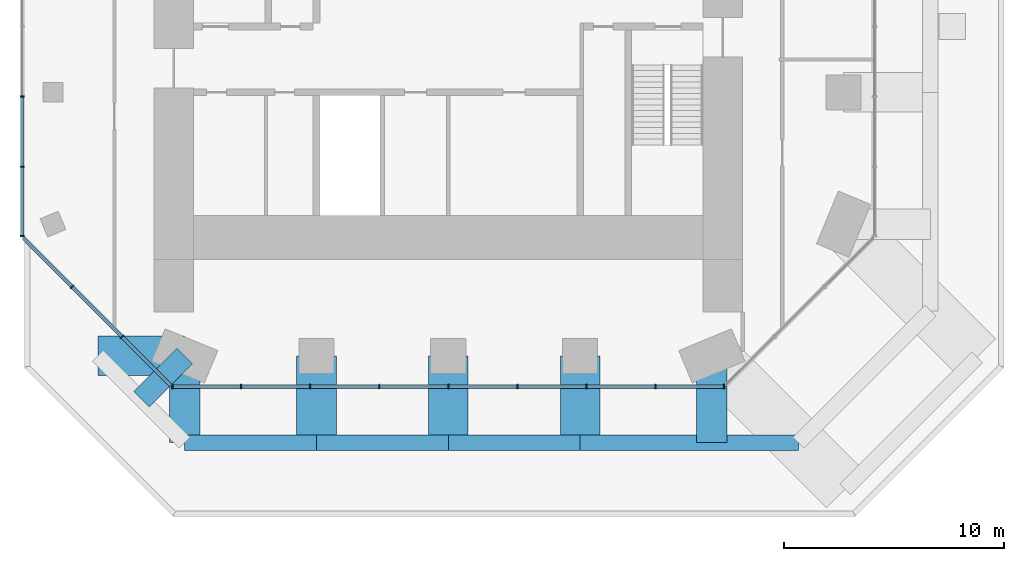
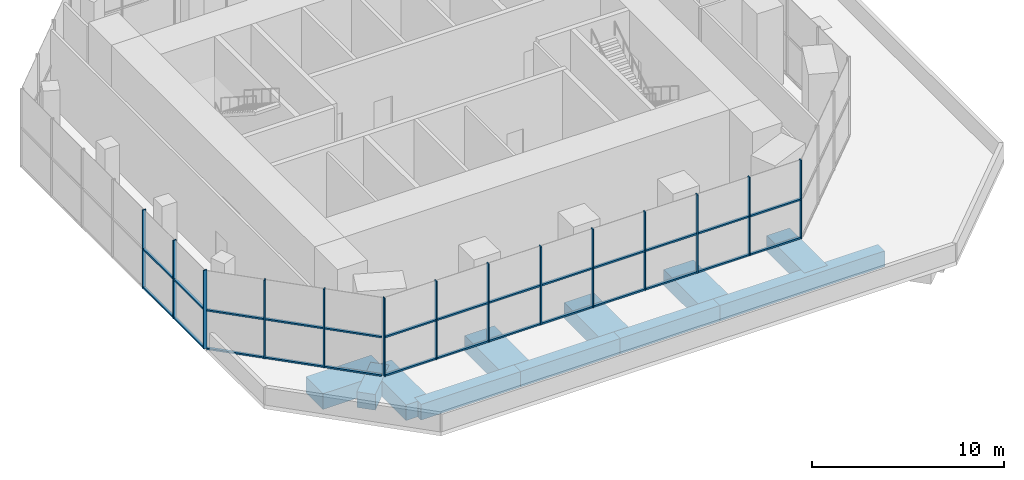
# One storey, part 2 of 9: 40 members, 11 beams, 3 elements without a shape of their own.
"""IFC4 building model written with IfcOpenShell, lengths in metres."""

from ifc_helpers import new_model, si_unit, direction, frame, origin, origin_2d, place, context, subcontext, project, spatial, rectangle, extrude, material, layer, layer_set, material_profile, profile_set, type_object, element, aggregate, save


model = new_model("IFC4")

# Units and contexts
model_context = context("Model", 3, precision=1e-05, world=origin(), true_north=direction((0.0, 1.0)))
body_context = subcontext(model_context, "Body", "Model", "MODEL_VIEW")
ifc_project = project(units=[si_unit("LENGTHUNIT", "METRE"), si_unit("AREAUNIT", "SQUARE_METRE"), si_unit("VOLUMEUNIT", "CUBIC_METRE"), si_unit("PLANEANGLEUNIT", "RADIAN"), si_unit("MASSUNIT", "GRAM", prefix="KILO")], contexts=[model_context])

# Site, building, storey
site_placement = place(None, origin())
site = spatial("IfcSite", under=ifc_project, at=site_placement, CompositionType="ELEMENT")
building_placement = place(site_placement, origin())
building = spatial("IfcBuilding", under=site, at=building_placement, Name="Highveld Stack Headquarters", CompositionType="ELEMENT")
storey_placement = place(building_placement, frame((0.0, 0.0, 295.699951171875)))
storey = spatial("IfcBuildingStorey", under=building, at=storey_placement, Name="L73", CompositionType="ELEMENT", Elevation=295.699951171875)

# Beams
ifc_material_1 = material(Name="Concrete C60/75", Category="concrete")
ifc_material_profile_1 = material_profile(ifc_material_1, rectangle(XDim=1.0, YDim=1.0, at=origin_2d()), Name="RC 1000x1000")
ifc_profile_set_1 = profile_set([ifc_material_profile_1], Name="Concrete C60/75")
beam_type_1 = type_object("IfcBeamType", Name="CANTILEVER RIB RC 1000x1000", PredefinedType="USERDEFINED", material=ifc_profile_set_1)
beam_1_placement = place(storey_placement, frame((-6.0, -12.0, -0.75), z_axis=(-0.707106781187, -0.707106781187, 0.0), x_axis=(0.707106781187, -0.707106781187, 0.0)))
element("IfcBeam", 1, at=beam_1_placement, inside=storey, type_object=beam_type_1, Name="Cantilever rib 5/C L73", ObjectType="CANTILEVER RIB", PredefinedType="USERDEFINED", context=body_context, shape_type="SweptSolid", body=[
    extrude(rectangle(XDim=1.0, YDim=1.0, at=origin_2d()), origin(), (0.0, 0.0, 1.0), 2.793212890625),
])
ifc_material_2 = material(Name="Concrete C60/75", Category="concrete")
ifc_material_profile_2 = material_profile(ifc_material_2, rectangle(XDim=1.39990234375, YDim=1.0, at=origin_2d()), Name="RC 1400x1000")
ifc_profile_set_2 = profile_set([ifc_material_profile_2], Name="Concrete C60/75")
beam_type_2 = type_object("IfcBeamType", Name="CANTILEVER RIB RC 1400x1000", PredefinedType="USERDEFINED", material=ifc_profile_set_2)
for number, where, z_axis, x_axis, name in (
    (2, (-6.0, -12.0, -0.75), (0.0, -1.0, 0.0), (1.0, 0.0, 0.0), "Cantilever rib 5/C L73"),
    (3, (18.0, -12.0, -0.75), (0.0, -1.0, 0.0), (1.0, 0.0, 0.0), "Cantilever rib 9/C L73"),
):
    element("IfcBeam", number, at=place(storey_placement, frame(where, z_axis=z_axis, x_axis=x_axis)), inside=storey, type_object=beam_type_2, Name=name, ObjectType="CANTILEVER RIB", PredefinedType="USERDEFINED", context=body_context, shape_type="SweptSolid", body=[
        extrude(rectangle(XDim=1.39990234375, YDim=1.0, at=origin_2d()), origin(), (0.0, 0.0, 1.0), 3.949951171875),
    ])
ifc_material_3 = material(Name="Concrete C60/75", Category="concrete")
ifc_material_profile_3 = material_profile(ifc_material_3, rectangle(XDim=1.800048828125, YDim=1.0, at=origin_2d()), Name="RC 1800x1000")
ifc_profile_set_3 = profile_set([ifc_material_profile_3], Name="Concrete C60/75")
beam_type_3 = type_object("IfcBeamType", Name="CANTILEVER RIB RC 1800x1000", PredefinedType="USERDEFINED", material=ifc_profile_set_3)
for number, where, z_axis, x_axis, name in (
    (4, (-6.0, -12.0, -0.75), (-1.0, 0.0, 0.0), (0.0, -1.0, 0.0), "Cantilever rib 5/C L73"),
    (5, (0.0, -12.0, -0.75), (0.0, -1.0, 0.0), (1.0, 0.0, 0.0), "Cantilever rib 6/C L73"),
    (6, (6.0, -12.0, -0.75), (0.0, -1.0, 0.0), (1.0, 0.0, 0.0), "Cantilever rib 7/C L73"),
    (7, (12.0, -12.0, -0.75), (0.0, -1.0, 0.0), (1.0, 0.0, 0.0), "Cantilever rib 8/C L73"),
):
    element("IfcBeam", number, at=place(storey_placement, frame(where, z_axis=z_axis, x_axis=x_axis)), inside=storey, type_object=beam_type_3, Name=name, ObjectType="CANTILEVER RIB", PredefinedType="USERDEFINED", context=body_context, shape_type="SweptSolid", body=[
        extrude(rectangle(XDim=1.800048828125, YDim=1.0, at=origin_2d()), origin(), (0.0, 0.0, 1.0), 3.949951171875),
    ])

# Curtain wall, members
ifc_material_4 = material(Name="Aluminium bronze anodised", Category="aluminium")
ifc_layer = layer(ifc_material_4, 0.199951171875)
ifc_layer_set = layer_set([ifc_layer], Name="Aluminium bronze anodised")
curtain_wall_type = type_object("IfcCurtainWallType", Name="CW4 LANTERN CURTAIN WALL", PredefinedType="NOTDEFINED", material=ifc_layer_set)
curtain_wall_1_placement = place(storey_placement, origin())
curtain_wall_1 = element("IfcCurtainWall", 8, at=curtain_wall_1_placement, inside=storey, type_object=curtain_wall_type, Name="Curtain wall CW4 L73 S", PredefinedType="NOTDEFINED")
ifc_material_5 = material(Name="Aluminium bronze anodised", Category="aluminium")
ifc_material_profile_4 = material_profile(ifc_material_5, rectangle(XDim=0.199951171875, YDim=0.06494140625, at=origin_2d()), Name="CW4 MULLION 65x200")
ifc_profile_set_4 = profile_set([ifc_material_profile_4], Name="Aluminium bronze anodised")
member_type_1 = type_object("IfcMemberType", Name="CW4 MULLION 65x200", PredefinedType="MULLION", material=ifc_profile_set_4)
member_1_placement = place(storey_placement, frame((-6.54736328125, -13.39990234375, 0.0), z_axis=(0.0, 0.0, 1.0), x_axis=(0.0, 1.0, 0.0)))
member_1 = element("IfcMember", 9, at=member_1_placement, type_object=member_type_1, Name="CW4 mullion L73 1", PredefinedType="MULLION", context=body_context, shape_type="SweptSolid", body=[
    extrude(rectangle(XDim=0.199951171875, YDim=0.06494140625, at=origin_2d()), origin(), (0.0, 0.0, 1.0), 5.0),
])
member_2_placement = place(storey_placement, frame((-3.434814453125, -13.39990234375, 0.0), z_axis=(0.0, 0.0, 1.0), x_axis=(0.0, 1.0, 0.0)))
member_2 = element("IfcMember", 10, at=member_2_placement, type_object=member_type_1, Name="CW4 mullion L73 2", PredefinedType="MULLION", context=body_context, shape_type="SweptSolid", body=[
    extrude(rectangle(XDim=0.199951171875, YDim=0.06494140625, at=origin_2d()), origin(), (0.0, 0.0, 1.0), 5.0),
])
member_3_placement = place(storey_placement, frame((-0.2900390625, -13.39990234375, 0.0), z_axis=(0.0, 0.0, 1.0), x_axis=(0.0, 1.0, 0.0)))
member_3 = element("IfcMember", 11, at=member_3_placement, type_object=member_type_1, Name="CW4 mullion L73 3", PredefinedType="MULLION", context=body_context, shape_type="SweptSolid", body=[
    extrude(rectangle(XDim=0.199951171875, YDim=0.06494140625, at=origin_2d()), origin(), (0.0, 0.0, 1.0), 5.0),
])
member_4_placement = place(storey_placement, frame((2.85498046875, -13.39990234375, 0.0), z_axis=(0.0, 0.0, 1.0), x_axis=(0.0, 1.0, 0.0)))
member_4 = element("IfcMember", 12, at=member_4_placement, type_object=member_type_1, Name="CW4 mullion L73 4", PredefinedType="MULLION", context=body_context, shape_type="SweptSolid", body=[
    extrude(rectangle(XDim=0.199951171875, YDim=0.06494140625, at=origin_2d()), origin(), (0.0, 0.0, 1.0), 5.0),
])
member_5_placement = place(storey_placement, frame((6.0, -13.39990234375, 0.0), z_axis=(0.0, 0.0, 1.0), x_axis=(0.0, 1.0, 0.0)))
member_5 = element("IfcMember", 13, at=member_5_placement, type_object=member_type_1, Name="CW4 mullion L73 5", PredefinedType="MULLION", context=body_context, shape_type="SweptSolid", body=[
    extrude(rectangle(XDim=0.199951171875, YDim=0.06494140625, at=origin_2d()), origin(), (0.0, 0.0, 1.0), 5.0),
])
member_6_placement = place(storey_placement, frame((9.14501953125, -13.39990234375, 0.0), z_axis=(0.0, 0.0, 1.0), x_axis=(0.0, 1.0, 0.0)))
member_6 = element("IfcMember", 14, at=member_6_placement, type_object=member_type_1, Name="CW4 mullion L73 6", PredefinedType="MULLION", context=body_context, shape_type="SweptSolid", body=[
    extrude(rectangle(XDim=0.199951171875, YDim=0.06494140625, at=origin_2d()), origin(), (0.0, 0.0, 1.0), 5.0),
])
member_7_placement = place(storey_placement, frame((12.289794921875, -13.39990234375, 0.0), z_axis=(0.0, 0.0, 1.0), x_axis=(0.0, 1.0, 0.0)))
member_7 = element("IfcMember", 15, at=member_7_placement, type_object=member_type_1, Name="CW4 mullion L73 7", PredefinedType="MULLION", context=body_context, shape_type="SweptSolid", body=[
    extrude(rectangle(XDim=0.199951171875, YDim=0.06494140625, at=origin_2d()), origin(), (0.0, 0.0, 1.0), 5.0),
])
member_8_placement = place(storey_placement, frame((15.434814453125, -13.39990234375, 0.0), z_axis=(0.0, 0.0, 1.0), x_axis=(0.0, 1.0, 0.0)))
member_8 = element("IfcMember", 16, at=member_8_placement, type_object=member_type_1, Name="CW4 mullion L73 8", PredefinedType="MULLION", context=body_context, shape_type="SweptSolid", body=[
    extrude(rectangle(XDim=0.199951171875, YDim=0.06494140625, at=origin_2d()), origin(), (0.0, 0.0, 1.0), 5.0),
])
member_9_placement = place(storey_placement, frame((18.54736328125, -13.39990234375, 0.0), z_axis=(0.0, 0.0, 1.0), x_axis=(0.0, 1.0, 0.0)))
member_9 = element("IfcMember", 17, at=member_9_placement, type_object=member_type_1, Name="CW4 mullion L73 9", PredefinedType="MULLION", context=body_context, shape_type="SweptSolid", body=[
    extrude(rectangle(XDim=0.199951171875, YDim=0.06494140625, at=origin_2d()), origin(), (0.0, 0.0, 1.0), 5.0),
])

curtain_wall_2_placement = place(storey_placement, origin())
curtain_wall_2 = element("IfcCurtainWall", 18, at=curtain_wall_2_placement, inside=storey, type_object=curtain_wall_type, Name="Curtain wall CW4 L73 W", PredefinedType="NOTDEFINED")
member_10_placement = place(storey_placement, frame((-13.39990234375, -0.193359375, 0.0), z_axis=(0.0, 0.0, 1.0), x_axis=(1.0, 0.0, 0.0)))
member_10 = element("IfcMember", 19, at=member_10_placement, type_object=member_type_1, Name="CW4 mullion L73 5", PredefinedType="MULLION", context=body_context, shape_type="SweptSolid", body=[
    extrude(rectangle(XDim=0.199951171875, YDim=0.06494140625, at=origin_2d()), origin(), (0.0, 0.0, 1.0), 5.0),
])
member_11_placement = place(storey_placement, frame((-13.39990234375, -3.38671875, 0.0), z_axis=(0.0, 0.0, 1.0), x_axis=(1.0, 0.0, 0.0)))
member_11 = element("IfcMember", 20, at=member_11_placement, type_object=member_type_1, Name="CW4 mullion L73 6", PredefinedType="MULLION", context=body_context, shape_type="SweptSolid", body=[
    extrude(rectangle(XDim=0.199951171875, YDim=0.06494140625, at=origin_2d()), origin(), (0.0, 0.0, 1.0), 5.0),
])
member_12_placement = place(storey_placement, frame((-13.39990234375, -6.54736328125, 0.0), z_axis=(0.0, 0.0, 1.0), x_axis=(1.0, 0.0, 0.0)))
member_12 = element("IfcMember", 21, at=member_12_placement, type_object=member_type_1, Name="CW4 mullion L73 7", PredefinedType="MULLION", context=body_context, shape_type="SweptSolid", body=[
    extrude(rectangle(XDim=0.199951171875, YDim=0.06494140625, at=origin_2d()), origin(), (0.0, 0.0, 1.0), 5.0),
])

curtain_wall_3_placement = place(storey_placement, origin())
curtain_wall_3 = element("IfcCurtainWall", 22, at=curtain_wall_3_placement, inside=storey, type_object=curtain_wall_type, Name="Curtain wall CW4 L73 SW", PredefinedType="NOTDEFINED")
member_13_placement = place(storey_placement, frame((-11.126708984375, -8.853271484375, 0.0), z_axis=(0.0, 0.0, 1.0), x_axis=(0.707106781187, 0.707106781187, 0.0)))
member_13 = element("IfcMember", 23, at=member_13_placement, type_object=member_type_1, Name="CW4 mullion L73 1", PredefinedType="MULLION", context=body_context, shape_type="SweptSolid", body=[
    extrude(rectangle(XDim=0.199951171875, YDim=0.06494140625, at=origin_2d()), origin(), (0.0, 0.0, 1.0), 5.0),
])
member_14_placement = place(storey_placement, frame((-8.853271484375, -11.126708984375, 0.0), z_axis=(0.0, 0.0, 1.0), x_axis=(0.707106781187, 0.707106781187, 0.0)))
member_14 = element("IfcMember", 24, at=member_14_placement, type_object=member_type_1, Name="CW4 mullion L73 2", PredefinedType="MULLION", context=body_context, shape_type="SweptSolid", body=[
    extrude(rectangle(XDim=0.199951171875, YDim=0.06494140625, at=origin_2d()), origin(), (0.0, 0.0, 1.0), 5.0),
])

# Member
ifc_material_6 = material(Name="Aluminium bronze anodised", Category="aluminium")
ifc_material_profile_5 = material_profile(ifc_material_6, rectangle(XDim=0.14990234375, YDim=0.10009765625, at=origin_2d()), Name="CW4 TRANSOM 150x100")
ifc_profile_set_5 = profile_set([ifc_material_profile_5], Name="Aluminium bronze anodised")
member_type_2 = type_object("IfcMemberType", Name="CW4 STACK TRANSOM 150x100", PredefinedType="USERDEFINED", material=ifc_profile_set_5)
member_15_placement = place(storey_placement, frame((-6.514892578125, -13.39990234375, 0.050048828125), z_axis=(1.0, 0.0, 0.0), x_axis=(0.0, 1.0, 0.0)))
member_15 = element("IfcMember", 25, at=member_15_placement, type_object=member_type_2, Name="CW4 transom L73 1.1", ObjectType="TRANSOM", PredefinedType="USERDEFINED", context=body_context, shape_type="SweptSolid", body=[
    extrude(rectangle(XDim=0.14990234375, YDim=0.10009765625, at=origin_2d()), origin(), (0.0, 0.0, 1.0), 3.047607421875),
])

member_16_placement = place(storey_placement, frame((-6.514892578125, -13.39990234375, 2.5), z_axis=(1.0, 0.0, 0.0), x_axis=(0.0, 1.0, 0.0)))
member_16 = element("IfcMember", 26, at=member_16_placement, type_object=member_type_2, Name="CW4 transom L73 1.2", ObjectType="TRANSOM", PredefinedType="USERDEFINED", context=body_context, shape_type="SweptSolid", body=[
    extrude(rectangle(XDim=0.14990234375, YDim=0.10009765625, at=origin_2d()), origin(), (0.0, 0.0, 1.0), 3.047607421875),
])

member_17_placement = place(storey_placement, frame((-3.40234375, -13.39990234375, 0.050048828125), z_axis=(1.0, 0.0, 0.0), x_axis=(0.0, 1.0, 0.0)))
member_17 = element("IfcMember", 27, at=member_17_placement, type_object=member_type_2, Name="CW4 transom L73 2.1", ObjectType="TRANSOM", PredefinedType="USERDEFINED", context=body_context, shape_type="SweptSolid", body=[
    extrude(rectangle(XDim=0.14990234375, YDim=0.10009765625, at=origin_2d()), origin(), (0.0, 0.0, 1.0), 3.079833984375),
])

member_18_placement = place(storey_placement, frame((-3.40234375, -13.39990234375, 2.5), z_axis=(1.0, 0.0, 0.0), x_axis=(0.0, 1.0, 0.0)))
member_18 = element("IfcMember", 28, at=member_18_placement, type_object=member_type_2, Name="CW4 transom L73 2.2", ObjectType="TRANSOM", PredefinedType="USERDEFINED", context=body_context, shape_type="SweptSolid", body=[
    extrude(rectangle(XDim=0.14990234375, YDim=0.10009765625, at=origin_2d()), origin(), (0.0, 0.0, 1.0), 3.079833984375),
])

member_19_placement = place(storey_placement, frame((-0.257568359375, -13.39990234375, 0.050048828125), z_axis=(1.0, 0.0, 0.0), x_axis=(0.0, 1.0, 0.0)))
member_19 = element("IfcMember", 29, at=member_19_placement, type_object=member_type_2, Name="CW4 transom L73 3.1", ObjectType="TRANSOM", PredefinedType="USERDEFINED", context=body_context, shape_type="SweptSolid", body=[
    extrude(rectangle(XDim=0.14990234375, YDim=0.10009765625, at=origin_2d()), origin(), (0.0, 0.0, 1.0), 3.080078125),
])

member_20_placement = place(storey_placement, frame((-0.257568359375, -13.39990234375, 2.5), z_axis=(1.0, 0.0, 0.0), x_axis=(0.0, 1.0, 0.0)))
member_20 = element("IfcMember", 30, at=member_20_placement, type_object=member_type_2, Name="CW4 transom L73 3.2", ObjectType="TRANSOM", PredefinedType="USERDEFINED", context=body_context, shape_type="SweptSolid", body=[
    extrude(rectangle(XDim=0.14990234375, YDim=0.10009765625, at=origin_2d()), origin(), (0.0, 0.0, 1.0), 3.080078125),
])

member_21_placement = place(storey_placement, frame((2.887451171875, -13.39990234375, 0.050048828125), z_axis=(1.0, 0.0, 0.0), x_axis=(0.0, 1.0, 0.0)))
member_21 = element("IfcMember", 31, at=member_21_placement, type_object=member_type_2, Name="CW4 transom L73 4.1", ObjectType="TRANSOM", PredefinedType="USERDEFINED", context=body_context, shape_type="SweptSolid", body=[
    extrude(rectangle(XDim=0.14990234375, YDim=0.10009765625, at=origin_2d()), origin(), (0.0, 0.0, 1.0), 3.080078125),
])

member_22_placement = place(storey_placement, frame((2.887451171875, -13.39990234375, 2.5), z_axis=(1.0, 0.0, 0.0), x_axis=(0.0, 1.0, 0.0)))
member_22 = element("IfcMember", 32, at=member_22_placement, type_object=member_type_2, Name="CW4 transom L73 4.2", ObjectType="TRANSOM", PredefinedType="USERDEFINED", context=body_context, shape_type="SweptSolid", body=[
    extrude(rectangle(XDim=0.14990234375, YDim=0.10009765625, at=origin_2d()), origin(), (0.0, 0.0, 1.0), 3.080078125),
])

member_23_placement = place(storey_placement, frame((6.032470703125, -13.39990234375, 0.050048828125), z_axis=(1.0, 0.0, 0.0), x_axis=(0.0, 1.0, 0.0)))
member_23 = element("IfcMember", 33, at=member_23_placement, type_object=member_type_2, Name="CW4 transom L73 5.1", ObjectType="TRANSOM", PredefinedType="USERDEFINED", context=body_context, shape_type="SweptSolid", body=[
    extrude(rectangle(XDim=0.14990234375, YDim=0.10009765625, at=origin_2d()), origin(), (0.0, 0.0, 1.0), 3.080078125),
])

member_24_placement = place(storey_placement, frame((6.032470703125, -13.39990234375, 2.5), z_axis=(1.0, 0.0, 0.0), x_axis=(0.0, 1.0, 0.0)))
member_24 = element("IfcMember", 34, at=member_24_placement, type_object=member_type_2, Name="CW4 transom L73 5.2", ObjectType="TRANSOM", PredefinedType="USERDEFINED", context=body_context, shape_type="SweptSolid", body=[
    extrude(rectangle(XDim=0.14990234375, YDim=0.10009765625, at=origin_2d()), origin(), (0.0, 0.0, 1.0), 3.080078125),
])

member_25_placement = place(storey_placement, frame((9.177490234375, -13.39990234375, 0.050048828125), z_axis=(1.0, 0.0, 0.0), x_axis=(0.0, 1.0, 0.0)))
member_25 = element("IfcMember", 35, at=member_25_placement, type_object=member_type_2, Name="CW4 transom L73 6.1", ObjectType="TRANSOM", PredefinedType="USERDEFINED", context=body_context, shape_type="SweptSolid", body=[
    extrude(rectangle(XDim=0.14990234375, YDim=0.10009765625, at=origin_2d()), origin(), (0.0, 0.0, 1.0), 3.080078125),
])

member_26_placement = place(storey_placement, frame((9.177490234375, -13.39990234375, 2.5), z_axis=(1.0, 0.0, 0.0), x_axis=(0.0, 1.0, 0.0)))
member_26 = element("IfcMember", 36, at=member_26_placement, type_object=member_type_2, Name="CW4 transom L73 6.2", ObjectType="TRANSOM", PredefinedType="USERDEFINED", context=body_context, shape_type="SweptSolid", body=[
    extrude(rectangle(XDim=0.14990234375, YDim=0.10009765625, at=origin_2d()), origin(), (0.0, 0.0, 1.0), 3.080078125),
])

member_27_placement = place(storey_placement, frame((12.322509765625, -13.39990234375, 0.050048828125), z_axis=(1.0, 0.0, 0.0), x_axis=(0.0, 1.0, 0.0)))
member_27 = element("IfcMember", 37, at=member_27_placement, type_object=member_type_2, Name="CW4 transom L73 7.1", ObjectType="TRANSOM", PredefinedType="USERDEFINED", context=body_context, shape_type="SweptSolid", body=[
    extrude(rectangle(XDim=0.14990234375, YDim=0.10009765625, at=origin_2d()), origin(), (0.0, 0.0, 1.0), 3.079833984375),
])

member_28_placement = place(storey_placement, frame((12.322509765625, -13.39990234375, 2.5), z_axis=(1.0, 0.0, 0.0), x_axis=(0.0, 1.0, 0.0)))
member_28 = element("IfcMember", 38, at=member_28_placement, type_object=member_type_2, Name="CW4 transom L73 7.2", ObjectType="TRANSOM", PredefinedType="USERDEFINED", context=body_context, shape_type="SweptSolid", body=[
    extrude(rectangle(XDim=0.14990234375, YDim=0.10009765625, at=origin_2d()), origin(), (0.0, 0.0, 1.0), 3.079833984375),
])

member_29_placement = place(storey_placement, frame((15.46728515625, -13.39990234375, 0.050048828125), z_axis=(1.0, 0.0, 0.0), x_axis=(0.0, 1.0, 0.0)))
member_29 = element("IfcMember", 39, at=member_29_placement, type_object=member_type_2, Name="CW4 transom L73 8.1", ObjectType="TRANSOM", PredefinedType="USERDEFINED", context=body_context, shape_type="SweptSolid", body=[
    extrude(rectangle(XDim=0.14990234375, YDim=0.10009765625, at=origin_2d()), origin(), (0.0, 0.0, 1.0), 3.047607421875),
])

member_30_placement = place(storey_placement, frame((15.46728515625, -13.39990234375, 2.5), z_axis=(1.0, 0.0, 0.0), x_axis=(0.0, 1.0, 0.0)))
member_30 = element("IfcMember", 40, at=member_30_placement, type_object=member_type_2, Name="CW4 transom L73 8.2", ObjectType="TRANSOM", PredefinedType="USERDEFINED", context=body_context, shape_type="SweptSolid", body=[
    extrude(rectangle(XDim=0.14990234375, YDim=0.10009765625, at=origin_2d()), origin(), (0.0, 0.0, 1.0), 3.047607421875),
])

aggregate(curtain_wall_1, [member_1, member_2, member_3, member_4, member_5, member_6, member_7, member_8, member_9, member_15, member_16, member_17, member_18, member_19, member_20, member_21, member_22, member_23, member_24, member_25, member_26, member_27, member_28, member_29, member_30])

member_31_placement = place(storey_placement, frame((-13.39990234375, -0.225830078125, 0.050048828125), z_axis=(0.0, -1.0, 0.0), x_axis=(1.0, 0.0, 0.0)))
member_31 = element("IfcMember", 41, at=member_31_placement, type_object=member_type_2, Name="CW4 transom L73 5.1", ObjectType="TRANSOM", PredefinedType="USERDEFINED", context=body_context, shape_type="SweptSolid", body=[
    extrude(rectangle(XDim=0.14990234375, YDim=0.10009765625, at=origin_2d()), origin(), (0.0, 0.0, 1.0), 3.128173828125),
])

member_32_placement = place(storey_placement, frame((-13.39990234375, -0.225830078125, 2.5), z_axis=(0.0, -1.0, 0.0), x_axis=(1.0, 0.0, 0.0)))
member_32 = element("IfcMember", 42, at=member_32_placement, type_object=member_type_2, Name="CW4 transom L73 5.2", ObjectType="TRANSOM", PredefinedType="USERDEFINED", context=body_context, shape_type="SweptSolid", body=[
    extrude(rectangle(XDim=0.14990234375, YDim=0.10009765625, at=origin_2d()), origin(), (0.0, 0.0, 1.0), 3.128173828125),
])

member_33_placement = place(storey_placement, frame((-13.39990234375, -3.419189453125, 0.050048828125), z_axis=(0.0, -1.0, 0.0), x_axis=(1.0, 0.0, 0.0)))
member_33 = element("IfcMember", 43, at=member_33_placement, type_object=member_type_2, Name="CW4 transom L73 6.1", ObjectType="TRANSOM", PredefinedType="USERDEFINED", context=body_context, shape_type="SweptSolid", body=[
    extrude(rectangle(XDim=0.14990234375, YDim=0.10009765625, at=origin_2d()), origin(), (0.0, 0.0, 1.0), 3.095703125),
])

member_34_placement = place(storey_placement, frame((-13.39990234375, -3.419189453125, 2.5), z_axis=(0.0, -1.0, 0.0), x_axis=(1.0, 0.0, 0.0)))
member_34 = element("IfcMember", 44, at=member_34_placement, type_object=member_type_2, Name="CW4 transom L73 6.2", ObjectType="TRANSOM", PredefinedType="USERDEFINED", context=body_context, shape_type="SweptSolid", body=[
    extrude(rectangle(XDim=0.14990234375, YDim=0.10009765625, at=origin_2d()), origin(), (0.0, 0.0, 1.0), 3.095703125),
])

aggregate(curtain_wall_2, [member_10, member_11, member_12, member_31, member_32, member_33, member_34])

member_35_placement = place(storey_placement, frame((-13.329345703125, -6.650634765625, 0.050048828125), z_axis=(0.707106781187, -0.707106781187, 0.0), x_axis=(0.707106781187, 0.707106781187, 0.0)))
member_35 = element("IfcMember", 45, at=member_35_placement, type_object=member_type_2, Name="CW4 transom L73 1.1", ObjectType="TRANSOM", PredefinedType="USERDEFINED", context=body_context, shape_type="SweptSolid", body=[
    extrude(rectangle(XDim=0.14990234375, YDim=0.10009765625, at=origin_2d()), origin(), (0.0, 0.0, 1.0), 3.08251953125),
])

member_36_placement = place(storey_placement, frame((-13.329345703125, -6.650634765625, 2.5), z_axis=(0.707106781187, -0.707106781187, 0.0), x_axis=(0.707106781187, 0.707106781187, 0.0)))
member_36 = element("IfcMember", 46, at=member_36_placement, type_object=member_type_2, Name="CW4 transom L73 1.2", ObjectType="TRANSOM", PredefinedType="USERDEFINED", context=body_context, shape_type="SweptSolid", body=[
    extrude(rectangle(XDim=0.14990234375, YDim=0.10009765625, at=origin_2d()), origin(), (0.0, 0.0, 1.0), 3.08251953125),
])

member_37_placement = place(storey_placement, frame((-11.103759765625, -8.876220703125, 0.050048828125), z_axis=(0.707106781187, -0.707106781187, 0.0), x_axis=(0.707106781187, 0.707106781187, 0.0)))
member_37 = element("IfcMember", 47, at=member_37_placement, type_object=member_type_2, Name="CW4 transom L73 2.1", ObjectType="TRANSOM", PredefinedType="USERDEFINED", context=body_context, shape_type="SweptSolid", body=[
    extrude(rectangle(XDim=0.14990234375, YDim=0.10009765625, at=origin_2d()), origin(), (0.0, 0.0, 1.0), 3.150146484375),
])

member_38_placement = place(storey_placement, frame((-11.103759765625, -8.876220703125, 2.5), z_axis=(0.707106781187, -0.707106781187, 0.0), x_axis=(0.707106781187, 0.707106781187, 0.0)))
member_38 = element("IfcMember", 48, at=member_38_placement, type_object=member_type_2, Name="CW4 transom L73 2.2", ObjectType="TRANSOM", PredefinedType="USERDEFINED", context=body_context, shape_type="SweptSolid", body=[
    extrude(rectangle(XDim=0.14990234375, YDim=0.10009765625, at=origin_2d()), origin(), (0.0, 0.0, 1.0), 3.150146484375),
])

member_39_placement = place(storey_placement, frame((-8.830322265625, -11.149658203125, 0.050048828125), z_axis=(0.707106781187, -0.707106781187, 0.0), x_axis=(0.707106781187, 0.707106781187, 0.0)))
member_39 = element("IfcMember", 49, at=member_39_placement, type_object=member_type_2, Name="CW4 transom L73 3.1", ObjectType="TRANSOM", PredefinedType="USERDEFINED", context=body_context, shape_type="SweptSolid", body=[
    extrude(rectangle(XDim=0.14990234375, YDim=0.10009765625, at=origin_2d()), origin(), (0.0, 0.0, 1.0), 3.08251953125),
])

member_40_placement = place(storey_placement, frame((-8.830322265625, -11.149658203125, 2.5), z_axis=(0.707106781187, -0.707106781187, 0.0), x_axis=(0.707106781187, 0.707106781187, 0.0)))
member_40 = element("IfcMember", 50, at=member_40_placement, type_object=member_type_2, Name="CW4 transom L73 3.2", ObjectType="TRANSOM", PredefinedType="USERDEFINED", context=body_context, shape_type="SweptSolid", body=[
    extrude(rectangle(XDim=0.14990234375, YDim=0.10009765625, at=origin_2d()), origin(), (0.0, 0.0, 1.0), 3.08251953125),
])

aggregate(curtain_wall_3, [member_13, member_14, member_35, member_36, member_37, member_38, member_39, member_40])

# Beams
ifc_material_7 = material(Name="Concrete C60/75", Category="concrete")
ifc_material_profile_6 = material_profile(ifc_material_7, rectangle(XDim=0.699951171875, YDim=1.0, at=origin_2d()), Name="RC 700x1000")
ifc_profile_set_6 = profile_set([ifc_material_profile_6], Name="Concrete C60/75")
beam_type_4 = type_object("IfcBeamType", Name="RIB TIP BEAM RC 700x1000", PredefinedType="SPANDREL", material=ifc_profile_set_6)
for number, where, z_axis, x_axis, name in (
    (51, (-6.0, -15.949951171875, -0.75), (1.0, 0.0, 0.0), (0.0, 1.0, 0.0), "Rib tip beam 5/C to 6/C L73"),
    (52, (0.0, -15.949951171875, -0.75), (1.0, 0.0, 0.0), (0.0, 1.0, 0.0), "Rib tip beam 6/C to 7/C L73"),
    (53, (6.0, -15.949951171875, -0.75), (1.0, 0.0, 0.0), (0.0, 1.0, 0.0), "Rib tip beam 7/C to 8/C L73"),
):
    element("IfcBeam", number, at=place(storey_placement, frame(where, z_axis=z_axis, x_axis=x_axis)), inside=storey, type_object=beam_type_4, Name=name, PredefinedType="SPANDREL", context=body_context, shape_type="SweptSolid", body=[
        extrude(rectangle(XDim=0.699951171875, YDim=1.0, at=origin_2d()), origin(), (0.0, 0.0, 1.0), 6.0),
    ])
beam_2_placement = place(storey_placement, frame((12.0, -15.949951171875, -0.75), z_axis=(1.0, 0.0, 0.0), x_axis=(0.0, 1.0, 0.0)))
element("IfcBeam", 54, at=beam_2_placement, inside=storey, type_object=beam_type_4, Name="Rib tip beam 8/C to 9/C L73", PredefinedType="SPANDREL", context=body_context, shape_type="SweptSolid", body=[
    extrude(rectangle(XDim=0.699951171875, YDim=1.0, at=origin_2d()), origin(), (0.0, 0.0, 1.0), 9.949951171875),
])

save(model, "model.ifc")
